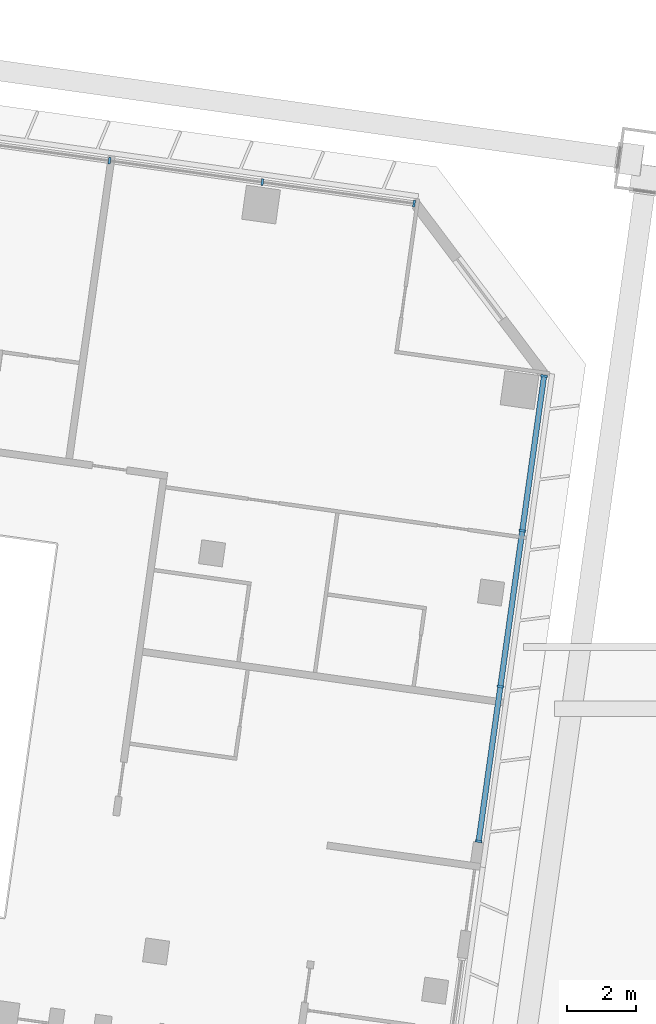
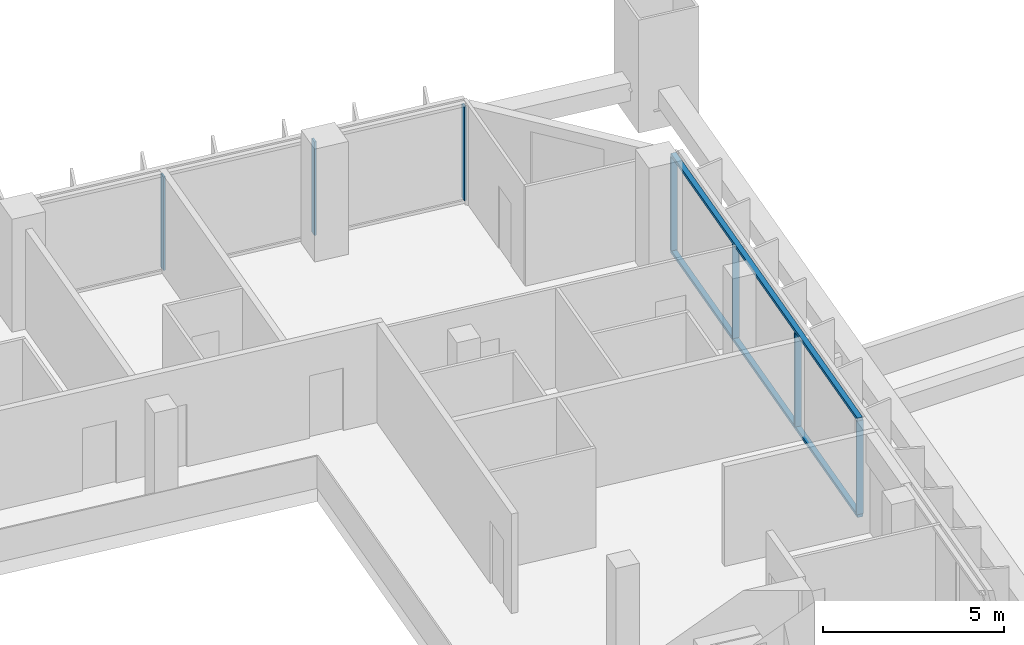
# One storey, part 12 of 46: 9 members, 2 elements without a shape of their own.
"""IFC4 building model written with IfcOpenShell, lengths in metres."""

import ifcopenshell
import ifcopenshell.guid

model = None  # the IFC model being written
_history = None  # IfcOwnerHistory: only IFC2X3 demands one
_inside = {}  # id of a spatial element -> (the spatial element, [elements in it])
_under = {}  # id of a project, library or spatial element -> (it, [spatial elements below it])
_declared = {}  # id of a project -> (the project, [libraries it declares])
_typed = {}  # id of a type object -> (the type object, [elements of that type])
_made_of = {}  # id of a material, layer set ... -> (it, [elements and type objects made of it])


def new_model(schema):
    """Start an empty IFC model of exactly this schema.

    Asked for "IFC4X3", IfcOpenShell would pick the latest addendum, in which some entities
    have other attributes; the version numbers below select the first issue.
    IFC2X3 requires an IfcOwnerHistory on every rooted entity: one is made here for all.
    """
    global model, _history
    if schema == "IFC4X3":
        model = ifcopenshell.file(schema_version=(4, 3, 0, 0))
    else:
        model = ifcopenshell.file(schema=schema)
    _inside.clear()
    _under.clear()
    _declared.clear()
    _typed.clear()
    _made_of.clear()
    _history = None
    if model.schema == "IFC2X3":
        org = make("IfcOrganization", Name="unknown")
        user = make(
            "IfcPersonAndOrganization",
            ThePerson=make("IfcPerson", FamilyName="unknown"),
            TheOrganization=org,
        )
        app = make(
            "IfcApplication",
            ApplicationDeveloper=org,
            Version="unknown",
            ApplicationFullName="unknown",
            ApplicationIdentifier="unknown",
        )
        _history = make(
            "IfcOwnerHistory",
            OwningUser=user,
            OwningApplication=app,
            ChangeAction="ADDED",
            CreationDate=0,
        )
    return model


def make(cls, **values):
    """One entity of the class cls with the attributes given. An attribute that is None is left unset."""
    return model.create_entity(
        cls, **{name: value for name, value in values.items() if value is not None}
    )


def rooted(cls, **values):
    """An entity with a GlobalId (a new one), such as an element, a storey or a relation."""
    return make(cls, GlobalId=ifcopenshell.guid.new(), OwnerHistory=_history, **values)


def si_unit(unit_type, name, prefix=None):
    """IfcSIUnit, for example si_unit("LENGTHUNIT", "METRE", prefix="MILLI")."""
    return make("IfcSIUnit", UnitType=unit_type, Prefix=prefix, Name=name)


def assignment(units):
    """IfcUnitAssignment: the units of a project."""
    return None if units is None else make("IfcUnitAssignment", Units=units)


def point(xyz):
    """IfcCartesianPoint."""
    return None if xyz is None else make("IfcCartesianPoint", Coordinates=xyz)


def direction(xyz):
    """IfcDirection."""
    return None if xyz is None else make("IfcDirection", DirectionRatios=xyz)


def frame(location, z_axis=None, x_axis=None):
    """IfcAxis2Placement3D, a coordinate frame: its origin and axes. An axis left out is left unset."""
    return make(
        "IfcAxis2Placement3D",
        Location=point(location),
        Axis=direction(z_axis),
        RefDirection=direction(x_axis),
    )


def frame_2d(location, x_axis=None):
    """IfcAxis2Placement2D, a coordinate frame in the plane: its origin and x axis."""
    return make(
        "IfcAxis2Placement2D", Location=point(location), RefDirection=direction(x_axis)
    )


def origin():
    """The frame at (0, 0, 0) with its axes left unset."""
    return frame((0.0, 0.0, 0.0))


def origin_2d():
    """The frame at (0, 0) in the plane with its x axis left unset."""
    return frame_2d((0.0, 0.0))


def place(relative_to, where):
    """IfcLocalPlacement: puts the frame where relative to a parent placement (None: the world)."""
    return make(
        "IfcLocalPlacement", PlacementRelTo=relative_to, RelativePlacement=where
    )


def context(
    kind, dimensions, precision=None, world=None, true_north=None, identifier=None
):
    """IfcGeometricRepresentationContext, for example the 3D "Model" context."""
    return make(
        "IfcGeometricRepresentationContext",
        ContextIdentifier=identifier,
        ContextType=kind,
        CoordinateSpaceDimension=dimensions,
        Precision=precision,
        WorldCoordinateSystem=world,
        TrueNorth=true_north,
    )


def subcontext(parent, identifier, kind, view, scale=None):
    """IfcGeometricRepresentationSubContext, for example "Body" below "Model"."""
    return make(
        "IfcGeometricRepresentationSubContext",
        ContextIdentifier=identifier,
        ContextType=kind,
        ParentContext=parent,
        TargetScale=scale,
        TargetView=view,
    )


def project(units=None, contexts=None):
    """IfcProject with its units and contexts."""
    return rooted(
        "IfcProject",
        Name="project",
        RepresentationContexts=contexts,
        UnitsInContext=assignment(units),
    )


def spatial(cls, under=None, at=None, **own):
    """A site, building, storey or space (cls), placed at a placement, below another one or the project."""
    s = rooted(cls, ObjectPlacement=at, **own)
    if under is not None:
        _under.setdefault(under.id(), (under, []))[1].append(s)
    return s


def profile(cls, at=None, kind="AREA", **sizes):
    """A parametric profile (cls). Its sizes go by their IFC names, for example OverallWidth=200.0."""
    return make(cls, ProfileType=kind, Position=at, **sizes)


def rectangle(**sizes):
    """IfcRectangleProfileDef."""
    return profile("IfcRectangleProfileDef", **sizes)


def extrude(swept, where, along, depth):
    """IfcExtrudedAreaSolid: the profile swept, set in the frame where, extruded along a direction by depth."""
    return make(
        "IfcExtrudedAreaSolid",
        SweptArea=swept,
        Position=where,
        ExtrudedDirection=direction(along),
        Depth=depth,
    )


def shape(context_of_items, identifier, shape_type, items):
    """IfcShapeRepresentation: the items that make up one representation, for example the "Body"."""
    return make(
        "IfcShapeRepresentation",
        ContextOfItems=context_of_items,
        RepresentationIdentifier=identifier,
        RepresentationType=shape_type,
        Items=items,
    )


def material(Name=None, Category=None):
    """IfcMaterial."""
    return make("IfcMaterial", Name=Name, Category=Category)


def material_profile(
    of_material, cross_section, Name=None, Category=None, Priority=None
):
    """IfcMaterialProfile: a cross section and its material."""
    return make(
        "IfcMaterialProfile",
        Name=Name,
        Material=of_material,
        Profile=cross_section,
        Priority=Priority,
        Category=Category,
    )


def profile_set(profiles, Name=None, composite=None):
    """IfcMaterialProfileSet."""
    return make(
        "IfcMaterialProfileSet",
        Name=Name,
        MaterialProfiles=profiles,
        CompositeProfile=composite,
    )


def made_of(thing, what):
    """Note that an element or type object is made of a material, layer set ...; save() writes the relation."""
    if what is not None:
        _made_of.setdefault(what.id(), (what, []))[1].append(thing)
    return thing


def type_object(cls, material=None, **own):
    """A type object (cls), such as IfcWallType, which elements share."""
    return made_of(rooted(cls, **own), material)


def element(
    cls,
    number,
    at=None,
    inside=None,
    cuts=None,
    type_object=None,
    material=None,
    context=None,
    identifier="Body",
    shape_type=None,
    held_by="IfcProductDefinitionShape",
    body=None,
    shapes=None,
    **own,
):
    """One element of the class cls, such as IfcWall. Its Tag is "e" and its number.

    at: its placement. inside: the storey or other place that contains it. cuts: it is an
    opening in that element (IfcRelVoidsElement). A single representation is given by context,
    identifier, shape_type and body (its items); several are given by shapes. held_by: the class
    of the entity that holds the representations. save() writes the other relations.
    """
    e = rooted(cls, Tag="e%d" % number, ObjectPlacement=at, **own)
    if body is not None:
        shapes = [shape(context, identifier, shape_type, body)]
    if shapes is not None:
        e.Representation = make(held_by, Representations=shapes)
    if inside is not None:
        _inside.setdefault(inside.id(), (inside, []))[1].append(e)
    if cuts is not None:
        rooted(
            "IfcRelVoidsElement", RelatingBuildingElement=cuts, RelatedOpeningElement=e
        )
    if type_object is not None:
        _typed.setdefault(type_object.id(), (type_object, []))[1].append(e)
    return made_of(e, material)


def aggregate(whole, parts):
    """IfcRelAggregates: a whole, such as a stair, and the parts it consists of."""
    return rooted("IfcRelAggregates", RelatingObject=whole, RelatedObjects=parts)


def save(model, path):
    """Write the relations noted so far, then the file.

    IfcRelAggregates (storeys below a building ...), IfcRelContainedInSpatialStructure (elements
    in a storey), IfcRelDefinesByType, IfcRelAssociatesMaterial and IfcRelDeclares: one each for
    every whole, place, type object, material and project.
    """
    for whole, parts in _under.values():
        aggregate(whole, parts)
    for where, things in _inside.values():
        rooted(
            "IfcRelContainedInSpatialStructure",
            RelatedElements=things,
            RelatingStructure=where,
        )
    for kind, things in _typed.values():
        rooted("IfcRelDefinesByType", RelatedObjects=things, RelatingType=kind)
    for what, things in _made_of.values():
        rooted("IfcRelAssociatesMaterial", RelatedObjects=things, RelatingMaterial=what)
    for by, libraries in _declared.values():
        rooted("IfcRelDeclares", RelatingContext=by, RelatedDefinitions=libraries)
    model.write(path)


model = new_model("IFC4")

# Units and contexts
model_context = context("Model", 3, precision=1e-05, world=origin(), true_north=direction((0.0, 1.0)))
body_context = subcontext(model_context, "Body", "Model", "MODEL_VIEW")
ifc_project = project(units=[si_unit("LENGTHUNIT", "METRE"), si_unit("AREAUNIT", "SQUARE_METRE"), si_unit("VOLUMEUNIT", "CUBIC_METRE"), si_unit("PLANEANGLEUNIT", "RADIAN"), si_unit("MASSUNIT", "GRAM", prefix="KILO")], contexts=[model_context])

# Site, building, storey
site_placement = place(None, origin())
site = spatial("IfcSite", under=ifc_project, at=site_placement, CompositionType="ELEMENT")
building_placement = place(site_placement, origin())
building = spatial("IfcBuilding", under=site, at=building_placement, Name="Mirante Cascada Hotel Towers", CompositionType="ELEMENT")
storey_placement = place(building_placement, frame((0.0, 0.0, 39.5)))
storey = spatial("IfcBuildingStorey", under=building, at=storey_placement, Name="L06", CompositionType="ELEMENT", Elevation=39.5)

# Curtain wall, members
ifc_material_1 = material(Name="Aluminium mullion and transom frame with clear laminated glass", Category="aluminium")
curtain_wall_type_1 = type_object("IfcCurtainWallType", Name="Ribbon curtain wall ECW1", PredefinedType="NOTDEFINED", material=ifc_material_1)
curtain_wall_1_placement = place(storey_placement, origin())
curtain_wall_1 = element("IfcCurtainWall", 1, at=curtain_wall_1_placement, inside=storey, type_object=curtain_wall_type_1, Name="Front ribbon wall T1 L06", PredefinedType="NOTDEFINED")
ifc_material_2 = material(Name="Anodised aluminium extrusion", Category="aluminium")
ifc_material_profile_1 = material_profile(ifc_material_2, rectangle(XDim=0.2, YDim=0.065, at=origin_2d()), Name="ECW1 MULLION 65x200")
ifc_profile_set_1 = profile_set([ifc_material_profile_1], Name="Anodised aluminium extrusion")
member_type_1 = type_object("IfcMemberType", Name="ECW1 mullion 65x200", PredefinedType="MULLION", material=ifc_profile_set_1)
member_1_placement = place(storey_placement, frame((-40.7892, 18.5516, 0.1), z_axis=(0.0, 0.0, 1.0), x_axis=(0.1391731, 0.9902681, 0.0)))
member_1 = element("IfcMember", 2, at=member_1_placement, type_object=member_type_1, Name="ECW1 mullion 13", PredefinedType="MULLION", context=body_context, shape_type="SweptSolid", body=[
    extrude(rectangle(XDim=0.2, YDim=0.065, at=origin_2d()), origin(), (0.0, 0.0, 1.0), 3.15),
])
member_2_placement = place(storey_placement, frame((-36.3417, 17.9265, 0.1), z_axis=(0.0, 0.0, 1.0), x_axis=(0.1391731, 0.9902681, 0.0)))
member_2 = element("IfcMember", 3, at=member_2_placement, type_object=member_type_1, Name="ECW1 mullion 14", PredefinedType="MULLION", context=body_context, shape_type="SweptSolid", body=[
    extrude(rectangle(XDim=0.2, YDim=0.065, at=origin_2d()), origin(), (0.0, 0.0, 1.0), 3.15),
])
member_3_placement = place(storey_placement, frame((-31.9265, 17.306, 0.1), z_axis=(0.0, 0.0, 1.0), x_axis=(0.1391731, 0.9902681, 0.0)))
member_3 = element("IfcMember", 4, at=member_3_placement, type_object=member_type_1, Name="ECW1 mullion 15", PredefinedType="MULLION", context=body_context, shape_type="SweptSolid", body=[
    extrude(rectangle(XDim=0.2, YDim=0.065, at=origin_2d()), origin(), (0.0, 0.0, 1.0), 3.15),
])
aggregate(curtain_wall_1, [member_1, member_2, member_3])

ifc_material_3 = material(Name="Aluminium mullion and transom frame with clear laminated glass", Category="aluminium")
curtain_wall_type_2 = type_object("IfcCurtainWallType", Name="End ribbon curtain wall ECW2", PredefinedType="NOTDEFINED", material=ifc_material_3)
curtain_wall_2_placement = place(storey_placement, origin())
curtain_wall_2 = element("IfcCurtainWall", 5, at=curtain_wall_2_placement, inside=storey, type_object=curtain_wall_type_2, Name="Inner end wall T1 L06 run 1", PredefinedType="NOTDEFINED")
ifc_material_4 = material(Name="Anodised aluminium extrusion", Category="aluminium")
ifc_material_profile_2 = material_profile(ifc_material_4, rectangle(XDim=0.2, YDim=0.065, at=origin_2d()), Name="ECW2 MULLION 65x200")
ifc_profile_set_2 = profile_set([ifc_material_profile_2], Name="Anodised aluminium extrusion")
member_type_2 = type_object("IfcMemberType", Name="ECW2 mullion 65x200", PredefinedType="MULLION", material=ifc_profile_set_2)
member_4_placement = place(storey_placement, frame((-28.1437, 12.2861, 0.1), z_axis=(0.0, 0.0, 1.0), x_axis=(0.9902681, -0.1391731, 0.0)))
member_4 = element("IfcMember", 6, at=member_4_placement, type_object=member_type_2, Name="ECW2 mullion 1", PredefinedType="MULLION", context=body_context, shape_type="SweptSolid", body=[
    extrude(rectangle(XDim=0.2, YDim=0.065, at=origin_2d()), origin(), (0.0, 0.0, 1.0), 3.15),
])
member_5_placement = place(storey_placement, frame((-28.7765, 7.7835, 0.1), z_axis=(0.0, 0.0, 1.0), x_axis=(0.9902681, -0.1391731, 0.0)))
member_5 = element("IfcMember", 7, at=member_5_placement, type_object=member_type_2, Name="ECW2 mullion 2", PredefinedType="MULLION", context=body_context, shape_type="SweptSolid", body=[
    extrude(rectangle(XDim=0.2, YDim=0.065, at=origin_2d()), origin(), (0.0, 0.0, 1.0), 3.15),
])
member_6_placement = place(storey_placement, frame((-29.4138, 3.2488, 0.1), z_axis=(0.0, 0.0, 1.0), x_axis=(0.9902681, -0.1391731, 0.0)))
member_6 = element("IfcMember", 8, at=member_6_placement, type_object=member_type_2, Name="ECW2 mullion 3", PredefinedType="MULLION", context=body_context, shape_type="SweptSolid", body=[
    extrude(rectangle(XDim=0.2, YDim=0.065, at=origin_2d()), origin(), (0.0, 0.0, 1.0), 3.15),
])
member_7_placement = place(storey_placement, frame((-30.0466, -1.2538, 0.1), z_axis=(0.0, 0.0, 1.0), x_axis=(0.9902681, -0.1391731, 0.0)))
member_7 = element("IfcMember", 9, at=member_7_placement, type_object=member_type_2, Name="ECW2 mullion 4", PredefinedType="MULLION", context=body_context, shape_type="SweptSolid", body=[
    extrude(rectangle(XDim=0.2, YDim=0.065, at=origin_2d()), origin(), (0.0, 0.0, 1.0), 3.15),
])
ifc_material_5 = material(Name="Anodised aluminium extrusion", Category="aluminium")
ifc_material_profile_3 = material_profile(ifc_material_5, rectangle(XDim=0.16, YDim=0.1, at=origin_2d()), Name="ECW2 TRANSOM 100x160")
ifc_profile_set_3 = profile_set([ifc_material_profile_3], Name="Anodised aluminium extrusion")
member_type_3 = type_object("IfcMemberType", Name="ECW2 transom 100x160", PredefinedType="USERDEFINED", material=ifc_profile_set_3)
member_8_placement = place(storey_placement, frame((-28.1392, 12.3182, 0.05), z_axis=(-0.1391708, -0.9902684, 0.0), x_axis=(0.9902684, -0.1391708, 0.0)))
member_8 = element("IfcMember", 10, at=member_8_placement, type_object=member_type_3, Name="ECW2 sill transom", ObjectType="TRANSOM", PredefinedType="USERDEFINED", context=body_context, shape_type="SweptSolid", body=[
    extrude(rectangle(XDim=0.16, YDim=0.1, at=origin_2d()), origin(), (0.0, 0.0, 1.0), 13.7378),
])
member_9_placement = place(storey_placement, frame((-28.1392, 12.3182, 3.3), z_axis=(-0.1391708, -0.9902684, 0.0), x_axis=(0.9902684, -0.1391708, 0.0)))
member_9 = element("IfcMember", 11, at=member_9_placement, type_object=member_type_3, Name="ECW2 head transom", ObjectType="TRANSOM", PredefinedType="USERDEFINED", context=body_context, shape_type="SweptSolid", body=[
    extrude(rectangle(XDim=0.16, YDim=0.1, at=origin_2d()), origin(), (0.0, 0.0, 1.0), 13.7378),
])
aggregate(curtain_wall_2, [member_8, member_9, member_4, member_5, member_6, member_7])

save(model, "model.ifc")
